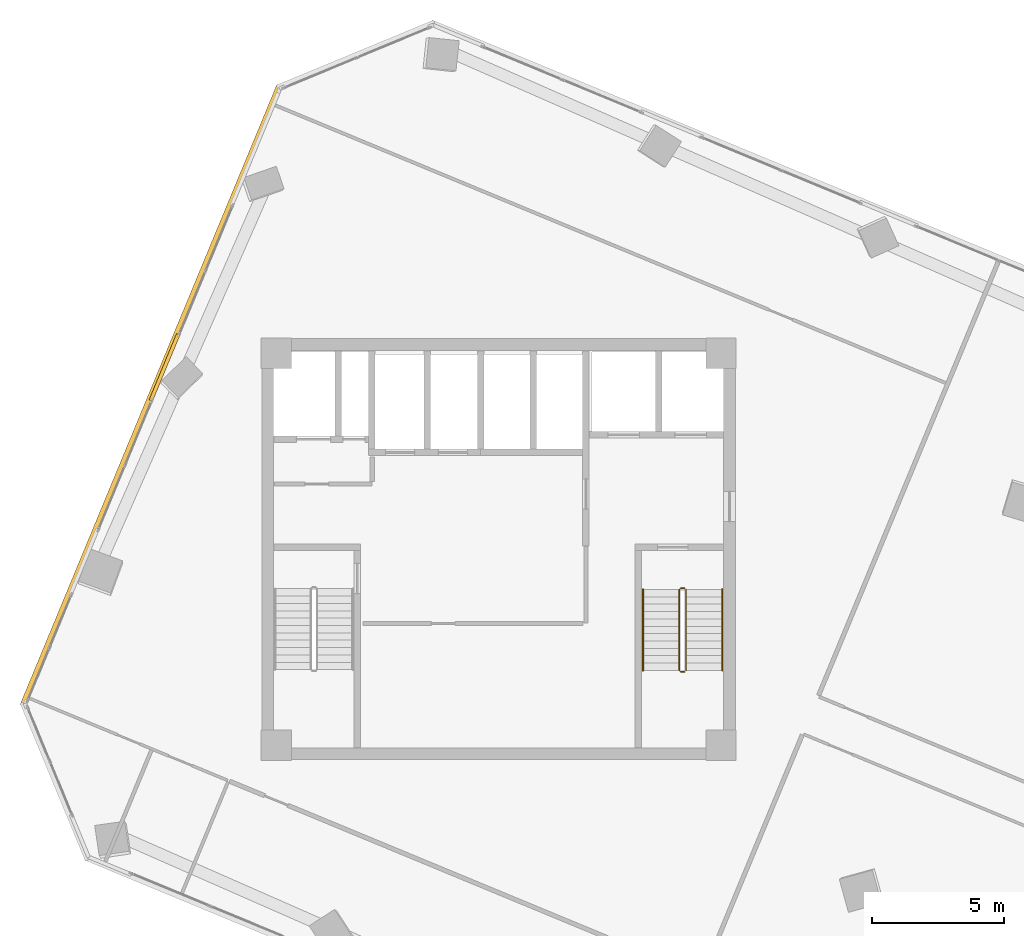
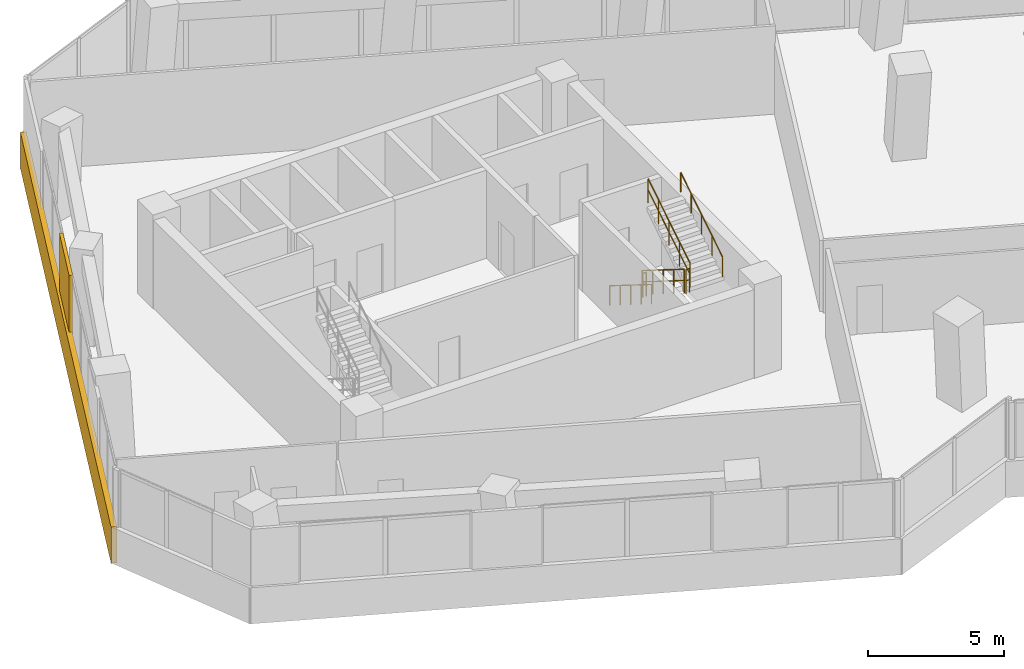
# One storey, part 21 of 23: 6 railings, 2 coverings.
"""IFC4 building model written with IfcOpenShell, lengths in metres."""

from ifc_helpers import new_model, si_unit, direction, frame, origin, origin_2d, place, context, subcontext, project, spatial, rectangle, circle, extrude, source, transform, mapped, material, layer, layer_set, type_object, element, save


model = new_model("IFC4")

# Units and contexts
model_context = context("Model", 3, precision=1e-05, world=origin(), true_north=direction((0.0, 1.0)))
body_context = subcontext(model_context, "Body", "Model", "MODEL_VIEW")
ifc_project = project(units=[si_unit("LENGTHUNIT", "METRE"), si_unit("AREAUNIT", "SQUARE_METRE"), si_unit("VOLUMEUNIT", "CUBIC_METRE"), si_unit("PLANEANGLEUNIT", "RADIAN"), si_unit("MASSUNIT", "GRAM", prefix="KILO")], contexts=[model_context])

# Site, building, storey
site_placement = place(None, origin())
site = spatial("IfcSite", under=ifc_project, at=site_placement, CompositionType="ELEMENT")
building_placement = place(site_placement, origin())
building = spatial("IfcBuilding", under=site, at=building_placement, Name="Torre Montelarca", CompositionType="ELEMENT")
storey_placement = place(building_placement, frame((0.0, 0.0, 145.60009765625)))
storey = spatial("IfcBuildingStorey", under=building, at=storey_placement, Name="L32", CompositionType="ELEMENT", Elevation=145.60009765625)

# Railings
ifc_material_1 = material(Name="Powder-coated steel ASTM A500 Grade C", Category="steel")
railing_type_1 = type_object("IfcRailingType", Name="RL-GUARD-1100", PredefinedType="BALUSTRADE", material=ifc_material_1)
railing_1_placement = place(storey_placement, frame((24.8701171875, 30.469970703125, 0.1748046875)))
element("IfcRailing", 1, at=railing_1_placement, inside=storey, type_object=railing_type_1, Name="L32 ST2 stair guard 1", PredefinedType="BALUSTRADE", context=body_context, shape_type="SweptSolid", body=[
    extrude(circle(Radius=0.02392578125, at=origin_2d()), frame((0.0, 0.0, 1.076171875), z_axis=(0.0, -0.847998304005, 0.529998940003), x_axis=(1.0, 0.0, 0.0)), (0.0, 0.0, 1.0), 3.632080078125),
    extrude(circle(Radius=0.02099609375, at=origin_2d()), frame((0.0, 0.0, 0.572021484375), z_axis=(0.0, -0.847998304005, 0.529998940003), x_axis=(1.0, 0.0, 0.0)), (0.0, 0.0, 1.0), 3.632080078125),
    extrude(circle(Radius=0.02099609375, at=origin_2d()), origin(), (0.0, 0.0, 1.0), 1.052001953125),
    extrude(circle(Radius=0.02099609375, at=origin_2d()), frame((0.0, -0.77001953125, 0.481201171875)), (0.0, 0.0, 1.0), 1.052001953125),
    extrude(circle(Radius=0.02099609375, at=origin_2d()), frame((0.0, -1.5400390625, 0.96240234375)), (0.0, 0.0, 1.0), 1.052001953125),
    extrude(circle(Radius=0.02099609375, at=origin_2d()), frame((0.0, -2.31005859375, 1.44384765625)), (0.0, 0.0, 1.0), 1.052001953125),
    extrude(circle(Radius=0.02099609375, at=origin_2d()), frame((0.0, -3.080078125, 1.925048828125)), (0.0, 0.0, 1.0), 1.052001953125),
])
railing_2_placement = place(storey_placement, frame((24.919921875, 27.340087890625, 2.099853515625)))
element("IfcRailing", 2, at=railing_2_placement, inside=storey, type_object=railing_type_1, Name="L32 ST2 stair guard 2", PredefinedType="BALUSTRADE", context=body_context, shape_type="SweptSolid", body=[
    extrude(circle(Radius=0.02392578125, at=origin_2d()), frame((0.0, 0.0, 1.076171875), z_axis=(1.0, 0.0, 0.0), x_axis=(0.0, 1.0, 0.0)), (0.0, 0.0, 1.0), 0.150146484375),
    extrude(circle(Radius=0.02099609375, at=origin_2d()), frame((0.0, 0.0, 0.572021484375), z_axis=(1.0, 0.0, 0.0), x_axis=(0.0, 1.0, 0.0)), (0.0, 0.0, 1.0), 0.150146484375),
    extrude(circle(Radius=0.02099609375, at=origin_2d()), origin(), (0.0, 0.0, 1.0), 1.052001953125),
    extrude(circle(Radius=0.02099609375, at=origin_2d()), frame((0.150146484375, 0.0, 0.0)), (0.0, 0.0, 1.0), 1.052001953125),
])
railing_3_placement = place(storey_placement, frame((25.1201171875, 27.389892578125, 2.27490234375)))
element("IfcRailing", 3, at=railing_3_placement, inside=storey, type_object=railing_type_1, Name="L32 ST2 stair guard 3", PredefinedType="BALUSTRADE", context=body_context, shape_type="SweptSolid", body=[
    extrude(circle(Radius=0.02392578125, at=origin_2d()), frame((0.0, 0.0, 1.076171875), z_axis=(0.0, 0.847998304005, 0.529998940003), x_axis=(-1.0, 0.0, 0.0)), (0.0, 0.0, 1.0), 3.632080078125),
    extrude(circle(Radius=0.02099609375, at=origin_2d()), frame((0.0, 0.0, 0.572021484375), z_axis=(0.0, 0.847998304005, 0.529998940003), x_axis=(-1.0, 0.0, 0.0)), (0.0, 0.0, 1.0), 3.632080078125),
    extrude(circle(Radius=0.02099609375, at=origin_2d()), origin(), (0.0, 0.0, 1.0), 1.052001953125),
    extrude(circle(Radius=0.02099609375, at=origin_2d()), frame((0.0, 0.77001953125, 0.481201171875)), (0.0, 0.0, 1.0), 1.052001953125),
    extrude(circle(Radius=0.02099609375, at=origin_2d()), frame((0.0, 1.5400390625, 0.96240234375)), (0.0, 0.0, 1.0), 1.052001953125),
    extrude(circle(Radius=0.02099609375, at=origin_2d()), frame((0.0, 2.31005859375, 1.44384765625)), (0.0, 0.0, 1.0), 1.052001953125),
    extrude(circle(Radius=0.02099609375, at=origin_2d()), frame((0.0, 3.080078125, 1.925048828125)), (0.0, 0.0, 1.0), 1.052001953125),
])
railing_4_placement = place(storey_placement, frame((24.919921875, 30.52001953125, 0.0)))
element("IfcRailing", 4, at=railing_4_placement, inside=storey, type_object=railing_type_1, Name="L32 ST2 stair guard 4", PredefinedType="BALUSTRADE", context=body_context, shape_type="SweptSolid", body=[
    extrude(circle(Radius=0.02392578125, at=origin_2d()), frame((0.0, 0.0, 1.076171875), z_axis=(1.0, 0.0, 0.0), x_axis=(0.0, 1.0, 0.0)), (0.0, 0.0, 1.0), 0.150146484375),
    extrude(circle(Radius=0.02099609375, at=origin_2d()), frame((0.0, 0.0, 0.572021484375), z_axis=(1.0, 0.0, 0.0), x_axis=(0.0, 1.0, 0.0)), (0.0, 0.0, 1.0), 0.150146484375),
    extrude(circle(Radius=0.02099609375, at=origin_2d()), origin(), (0.0, 0.0, 1.0), 1.052001953125),
    extrude(circle(Radius=0.02099609375, at=origin_2d()), frame((0.150146484375, 0.0, 0.0)), (0.0, 0.0, 1.0), 1.052001953125),
])
ifc_material_2 = material(Name="Brushed stainless steel AISI 316", Category="steel")
railing_type_2 = type_object("IfcRailingType", Name="RL-HANDRAIL-900", PredefinedType="HANDRAIL", material=ifc_material_2)
railing_5_placement = place(storey_placement, frame((23.489990234375, 30.469970703125, 0.1748046875)))
element("IfcRailing", 5, at=railing_5_placement, inside=storey, type_object=railing_type_2, Name="L32 ST2 stair handrail 1", PredefinedType="HANDRAIL", context=body_context, shape_type="SweptSolid", body=[
    extrude(circle(Radius=0.02392578125, at=origin_2d()), frame((0.0, 0.0, 0.8759765625), z_axis=(0.0, -0.847998304005, 0.529998940003), x_axis=(1.0, 0.0, 0.0)), (0.0, 0.0, 1.0), 3.632080078125),
    extrude(circle(Radius=0.02099609375, at=origin_2d()), origin(), (0.0, 0.0, 1.0), 0.851806640625),
    extrude(circle(Radius=0.02099609375, at=origin_2d()), frame((0.0, -0.77001953125, 0.481201171875)), (0.0, 0.0, 1.0), 0.851806640625),
    extrude(circle(Radius=0.02099609375, at=origin_2d()), frame((0.0, -1.5400390625, 0.96240234375)), (0.0, 0.0, 1.0), 0.851806640625),
    extrude(circle(Radius=0.02099609375, at=origin_2d()), frame((0.0, -2.31005859375, 1.44384765625)), (0.0, 0.0, 1.0), 0.851806640625),
    extrude(circle(Radius=0.02099609375, at=origin_2d()), frame((0.0, -3.080078125, 1.925048828125)), (0.0, 0.0, 1.0), 0.851806640625),
])
railing_6_placement = place(storey_placement, frame((26.5, 27.389892578125, 2.27490234375)))
element("IfcRailing", 6, at=railing_6_placement, inside=storey, type_object=railing_type_2, Name="L32 ST2 stair handrail 2", PredefinedType="HANDRAIL", context=body_context, shape_type="SweptSolid", body=[
    extrude(circle(Radius=0.02392578125, at=origin_2d()), frame((0.0, 0.0, 0.8759765625), z_axis=(0.0, 0.847998304005, 0.529998940003), x_axis=(-1.0, 0.0, 0.0)), (0.0, 0.0, 1.0), 3.632080078125),
    extrude(circle(Radius=0.02099609375, at=origin_2d()), origin(), (0.0, 0.0, 1.0), 0.851806640625),
    extrude(circle(Radius=0.02099609375, at=origin_2d()), frame((0.0, 0.77001953125, 0.481201171875)), (0.0, 0.0, 1.0), 0.851806640625),
    extrude(circle(Radius=0.02099609375, at=origin_2d()), frame((0.0, 1.5400390625, 0.96240234375)), (0.0, 0.0, 1.0), 0.851806640625),
    extrude(circle(Radius=0.02099609375, at=origin_2d()), frame((0.0, 2.31005859375, 1.44384765625)), (0.0, 0.0, 1.0), 0.851806640625),
    extrude(circle(Radius=0.02099609375, at=origin_2d()), frame((0.0, 3.080078125, 1.925048828125)), (0.0, 0.0, 1.0), 0.851806640625),
])

# Coverings
ifc_material_3 = material(Name="Bush-hammered warm white precast concrete C45/55", Category="concrete")
ifc_layer = layer(ifc_material_3, 0.139892578125, Name="Bush-hammered warm white precast concrete C45/55", Category="concrete")
ifc_layer_set = layer_set([ifc_layer], Name="Bush-hammered warm white precast concrete C45/55")
covering_type = type_object("IfcCoveringType", Name="COV-TRAY-CLAD", PredefinedType="CLADDING", material=ifc_layer_set)
shared_shape_1 = source(origin(), body_context, "Body", "SweptSolid", [
    extrude(rectangle(XDim=25.52001953125, YDim=0.219970703125, at=origin_2d()), origin(), (0.0, 0.0, 1.0), 1.6201171875),
])
covering_1_placement = place(storey_placement, frame((4.79248046875, 37.838134765625, -0.4501953125), z_axis=(0.0, 0.0, 1.0), x_axis=(-0.382680207415, -0.923880868323, 0.0)))
element("IfcCovering", 7, at=covering_1_placement, inside=storey, type_object=covering_type, Name="L32 Architectural White Spandrel Tray Band TRYBOT-10", PredefinedType="CLADDING", context=body_context, shape_type="MappedRepresentation", body=[
    mapped(shared_shape_1, transform((0.0, 0.0, 0.0), scale=1.0)),
])
shared_shape_2 = source(origin(), body_context, "Body", "SweptSolid", [
    extrude(rectangle(XDim=2.7275390625, YDim=0.139892578125, at=origin_2d()), origin(), (0.0, 0.0, 1.0), 3.719970703125),
])
covering_2_placement = place(storey_placement, frame((5.30078125, 38.90869140625, 0.0), z_axis=(0.0, 0.0, 1.0), x_axis=(-0.382680207415, -0.923880868323, 0.0)))
element("IfcCovering", 8, at=covering_2_placement, inside=storey, type_object=covering_type, Name="L32 Architectural Column Pier Cladding E10-3", PredefinedType="CLADDING", context=body_context, shape_type="MappedRepresentation", body=[
    mapped(shared_shape_2, transform((0.0, 0.0, 0.0), scale=1.0)),
])

save(model, "model.ifc")
